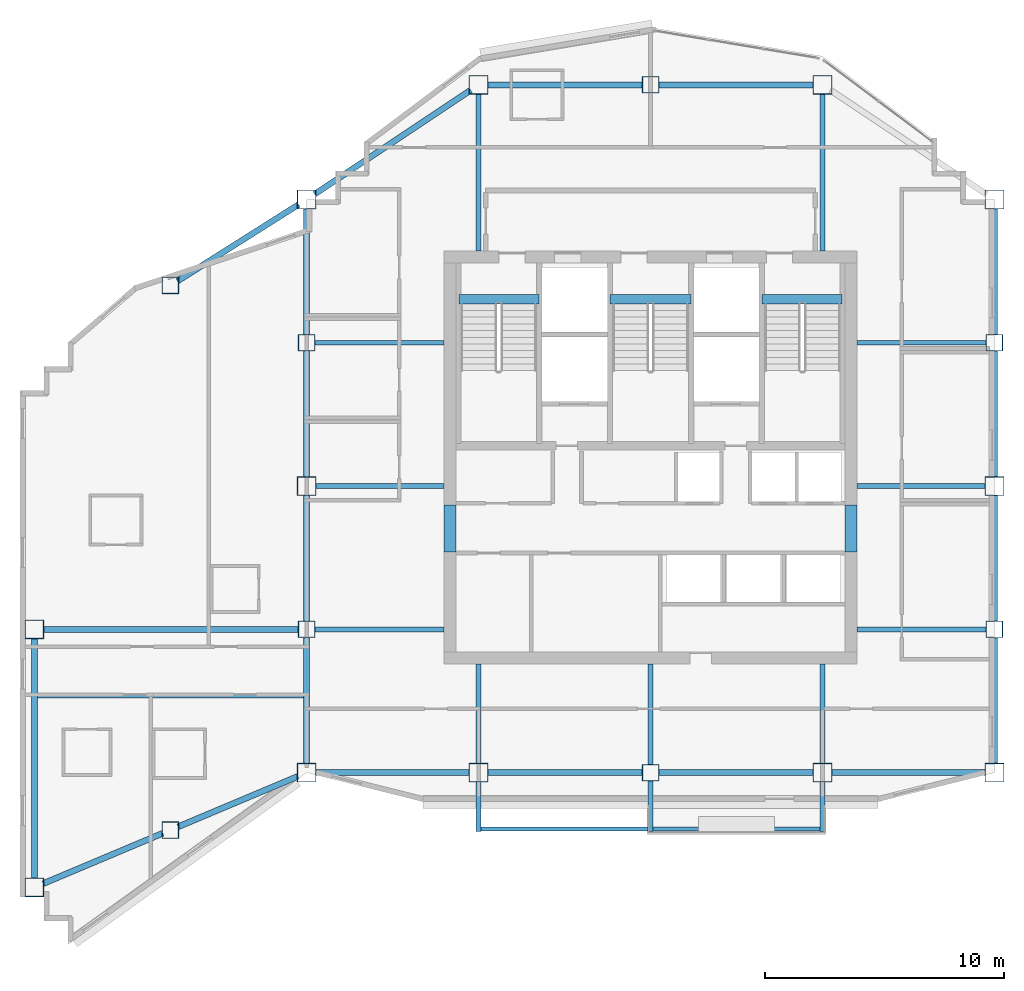
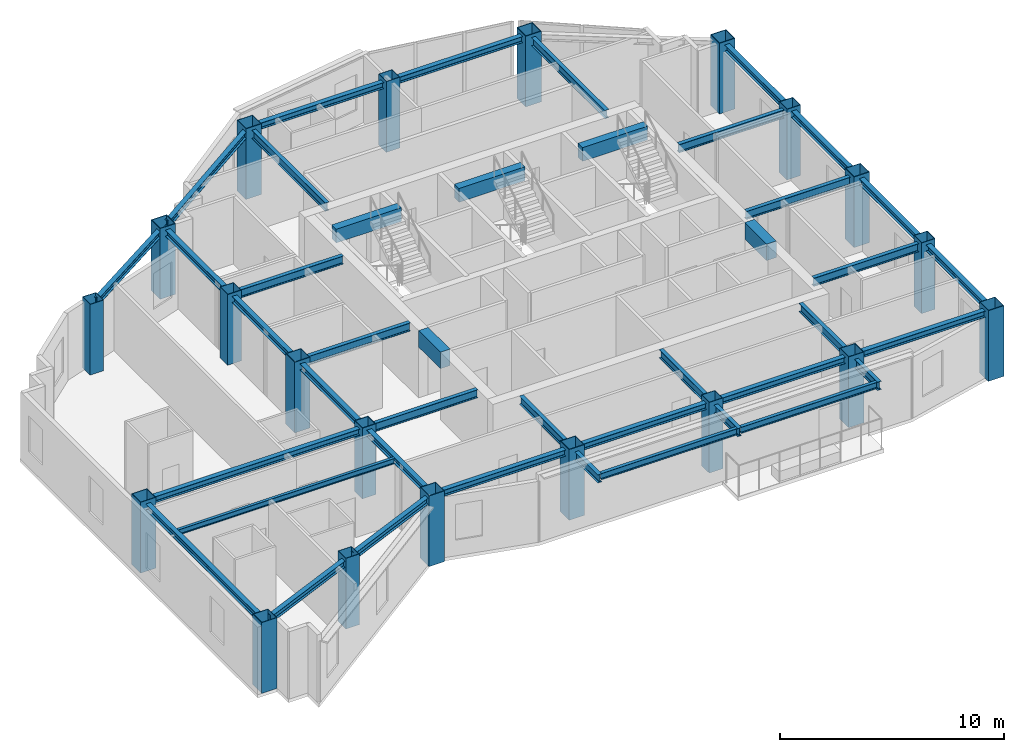
# One storey, part 1 of 10: 42 beams, 20 columns.
"""IFC4 building model written with IfcOpenShell, lengths in metres."""

from ifc_helpers import new_model, si_unit, direction, frame, origin, origin_2d, place, context, subcontext, project, spatial, rectangle, hollow_rectangle, i_section, extrude, material, material_profile, profile_set, type_object, element, save


model = new_model("IFC4")

# Units and contexts
model_context = context("Model", 3, precision=1e-05, world=origin(), true_north=direction((0.0, 1.0)))
body_context = subcontext(model_context, "Body", "Model", "MODEL_VIEW")
ifc_project = project(units=[si_unit("LENGTHUNIT", "METRE"), si_unit("AREAUNIT", "SQUARE_METRE"), si_unit("VOLUMEUNIT", "CUBIC_METRE"), si_unit("PLANEANGLEUNIT", "RADIAN"), si_unit("MASSUNIT", "GRAM", prefix="KILO")], contexts=[model_context])

# Site, building, storey
site_placement = place(None, origin())
site = spatial("IfcSite", under=ifc_project, at=site_placement, CompositionType="ELEMENT")
building_placement = place(site_placement, origin())
building = spatial("IfcBuilding", under=site, at=building_placement, Name="Haolan Belvedere Tower", CompositionType="ELEMENT")
storey_placement = place(building_placement, frame((0.0, 0.0, 246.75)))
storey = spatial("IfcBuildingStorey", under=building, at=storey_placement, Name="L62", CompositionType="ELEMENT", Elevation=246.75)

# Columns
ifc_material_1 = material(Name="Steel Q390GJC", Category="steel")
ifc_material_profile_1 = material_profile(ifc_material_1, hollow_rectangle(XDim=0.699951171875, YDim=0.699951171875, WallThickness=0.02587890625, at=origin_2d()), Name="Steel Q390GJC")
ifc_profile_set_1 = profile_set([ifc_material_profile_1], Name="Steel Q390GJC")
column_type_1 = type_object("IfcColumnType", Name="COL-BOX700x700x26", PredefinedType="COLUMN", material=ifc_profile_set_1)
for number, where, z_axis, x_axis, name in (
    (1, (24.0, 27.60009765625, 0.0), (0.0, 0.0, 1.0), (1.0, 0.0, 0.0), "L62 column TC-T3-W1 (BOX700x700x26)"),
    (2, (24.0, 39.60009765625, 0.0), (0.0, 0.0, 1.0), (1.0, 0.0, 0.0), "L62 column TC-T3-W2 (BOX700x700x26)"),
    (3, (52.800048828125, 27.60009765625, 0.0), (0.0, 0.0, 1.0), (1.0, 0.0, 0.0), "L62 column TC-T3-E1 (BOX700x700x26)"),
    (4, (52.800048828125, 39.60009765625, 0.0), (0.0, 0.0, 1.0), (1.0, 0.0, 0.0), "L62 column TC-T3-E2 (BOX700x700x26)"),
    (5, (38.39990234375, 21.60009765625, 0.0), (0.0, 0.0, 1.0), (1.0, 0.0, 0.0), "L62 column TC-T3-SM (BOX700x700x26)"),
    (6, (38.39990234375, 50.39990234375, 0.0), (0.0, 0.0, 1.0), (1.0, 0.0, 0.0), "L62 column TC-T3-NM (BOX700x700x26)"),
    (7, (18.300048828125, 19.199951171875, 0.0), (0.0, 0.0, 1.0), (1.0, 0.0, 0.0), "L62 column TC-T2-S1 (BOX700x700x26)"),
    (8, (18.300048828125, 42.0, 0.0), (0.0, 0.0, 1.0), (1.0, 0.0, 0.0), "L62 column TC-T2-N1 (BOX700x700x26)"),
):
    element("IfcColumn", number, at=place(storey_placement, frame(where, z_axis=z_axis, x_axis=x_axis)), inside=storey, type_object=column_type_1, Name=name, PredefinedType="COLUMN", context=body_context, shape_type="SweptSolid", body=[
        extrude(hollow_rectangle(XDim=0.699951171875, YDim=0.699951171875, WallThickness=0.02587890625, at=origin_2d()), origin(), (0.0, 0.0, 1.0), 3.85009765625),
    ])
ifc_material_profile_2 = material_profile(ifc_material_1, hollow_rectangle(XDim=0.800048828125, YDim=0.800048828125, WallThickness=0.030029296875, at=origin_2d()), Name="Steel Q390GJC")
ifc_profile_set_2 = profile_set([ifc_material_profile_2], Name="Steel Q390GJC")
column_type_2 = type_object("IfcColumnType", Name="COL-BOX800x800x30", PredefinedType="COLUMN", material=ifc_profile_set_2)
for number, where, z_axis, x_axis, name in (
    (9, (24.0, 21.60009765625, 0.0), (0.0, 0.0, 1.0), (1.0, 0.0, 0.0), "L62 column MC-T3-SW (BOX800x800x30)"),
    (10, (24.0, 33.60009765625, 0.0), (0.0, 0.0, 1.0), (1.0, 0.0, 0.0), "L62 column MC-T3-MW (BOX800x800x30)"),
    (11, (24.0, 45.60009765625, 0.0), (0.0, 0.0, 1.0), (1.0, 0.0, 0.0), "L62 column MC-T3-NW (BOX800x800x30)"),
    (12, (52.800048828125, 21.60009765625, 0.0), (0.0, 0.0, 1.0), (1.0, 0.0, 0.0), "L62 column MC-T3-SE (BOX800x800x30)"),
    (13, (52.800048828125, 33.60009765625, 0.0), (0.0, 0.0, 1.0), (1.0, 0.0, 0.0), "L62 column MC-T3-ME (BOX800x800x30)"),
    (14, (52.800048828125, 45.60009765625, 0.0), (0.0, 0.0, 1.0), (1.0, 0.0, 0.0), "L62 column MC-T3-NE (BOX800x800x30)"),
    (15, (31.199951171875, 21.60009765625, 0.0), (0.0, 0.0, 1.0), (1.0, 0.0, 0.0), "L62 column MC-T3-S1 (BOX800x800x30)"),
    (16, (45.60009765625, 21.60009765625, 0.0), (0.0, 0.0, 1.0), (1.0, 0.0, 0.0), "L62 column MC-T3-S2 (BOX800x800x30)"),
    (17, (31.199951171875, 50.39990234375, 0.0), (0.0, 0.0, 1.0), (1.0, 0.0, 0.0), "L62 column MC-T3-N1 (BOX800x800x30)"),
    (18, (45.60009765625, 50.39990234375, 0.0), (0.0, 0.0, 1.0), (1.0, 0.0, 0.0), "L62 column MC-T3-N2 (BOX800x800x30)"),
    (19, (12.60009765625, 16.800048828125, 0.0), (0.0, 0.0, 1.0), (1.0, 0.0, 0.0), "L62 column MC-T2-SW (BOX800x800x30)"),
    (20, (12.60009765625, 27.60009765625, 0.0), (0.0, 0.0, 1.0), (1.0, 0.0, 0.0), "L62 column MC-T2-MW (BOX800x800x30)"),
):
    element("IfcColumn", number, at=place(storey_placement, frame(where, z_axis=z_axis, x_axis=x_axis)), inside=storey, type_object=column_type_2, Name=name, PredefinedType="COLUMN", context=body_context, shape_type="SweptSolid", body=[
        extrude(hollow_rectangle(XDim=0.800048828125, YDim=0.800048828125, WallThickness=0.030029296875, at=origin_2d()), origin(), (0.0, 0.0, 1.0), 3.85009765625),
    ])

# Beams
ifc_material_2 = material(Name="Steel Q355B", Category="steel")
ifc_material_profile_3 = material_profile(ifc_material_2, i_section(OverallWidth=0.25, OverallDepth=0.340087890625, WebThickness=0.009033203125, FlangeThickness=0.013916015625, FilletRadius=0.02001953125, at=origin_2d()), Name="Steel Q355B")
ifc_profile_set_3 = profile_set([ifc_material_profile_3], Name="Steel Q355B")
beam_type_1 = type_object("IfcBeamType", Name="BM-HM340x250x9x14", PredefinedType="SPANDREL", material=ifc_profile_set_3)
for number, where, z_axis, x_axis, name in (
    (21, (24.0, 22.0, 3.5), (0.0, 1.0, 0.0), (-1.0, 0.0, 0.0), "L62 spandrel girder MC-T3-SW-TC-T3-W1"),
    (22, (24.0, 27.949951171875, 3.5), (0.0, 1.0, 0.0), (-1.0, 0.0, 0.0), "L62 spandrel girder TC-T3-W1-MC-T3-MW"),
    (23, (24.0, 34.0, 3.5), (0.0, 1.0, 0.0), (-1.0, 0.0, 0.0), "L62 spandrel girder MC-T3-MW-TC-T3-W2"),
    (24, (24.0, 39.949951171875, 3.5), (0.0, 1.0, 0.0), (-1.0, 0.0, 0.0), "L62 spandrel girder TC-T3-W2-MC-T3-NW"),
    (25, (52.800048828125, 22.0, 3.5), (0.0, 1.0, 0.0), (-1.0, 0.0, 0.0), "L62 spandrel girder MC-T3-SE-TC-T3-E1"),
    (26, (52.800048828125, 27.949951171875, 3.5), (0.0, 1.0, 0.0), (-1.0, 0.0, 0.0), "L62 spandrel girder TC-T3-E1-MC-T3-ME"),
    (27, (52.800048828125, 34.0, 3.5), (0.0, 1.0, 0.0), (-1.0, 0.0, 0.0), "L62 spandrel girder MC-T3-ME-TC-T3-E2"),
    (28, (52.800048828125, 39.949951171875, 3.5), (0.0, 1.0, 0.0), (-1.0, 0.0, 0.0), "L62 spandrel girder TC-T3-E2-MC-T3-NE"),
):
    element("IfcBeam", number, at=place(storey_placement, frame(where, z_axis=z_axis, x_axis=x_axis)), inside=storey, type_object=beam_type_1, Name=name, PredefinedType="SPANDREL", context=body_context, shape_type="SweptSolid", body=[
        extrude(i_section(OverallWidth=0.25, OverallDepth=0.340087890625, WebThickness=0.009033203125, FlangeThickness=0.013916015625, FilletRadius=0.02001953125, at=origin_2d()), origin(), (0.0, 0.0, 1.0), 5.25),
    ])
beam_1_placement = place(storey_placement, frame((24.39990234375, 21.60009765625, 3.5), z_axis=(1.0, 0.0, 0.0), x_axis=(0.0, 1.0, 0.0)))
element("IfcBeam", 29, at=beam_1_placement, inside=storey, type_object=beam_type_1, Name="L62 spandrel girder MC-T3-SW-MC-T3-S1", PredefinedType="SPANDREL", context=body_context, shape_type="SweptSolid", body=[
    extrude(i_section(OverallWidth=0.25, OverallDepth=0.340087890625, WebThickness=0.009033203125, FlangeThickness=0.013916015625, FilletRadius=0.02001953125, at=origin_2d()), origin(), (0.0, 0.0, 1.0), 6.400146484375),
])
for number, where, z_axis, x_axis, name in (
    (30, (31.60009765625, 21.60009765625, 3.5), (1.0, 0.0, 0.0), (0.0, 1.0, 0.0), "L62 spandrel girder MC-T3-S1-TC-T3-SM"),
    (31, (38.75, 21.60009765625, 3.5), (1.0, 0.0, 0.0), (0.0, 1.0, 0.0), "L62 spandrel girder TC-T3-SM-MC-T3-S2"),
):
    element("IfcBeam", number, at=place(storey_placement, frame(where, z_axis=z_axis, x_axis=x_axis)), inside=storey, type_object=beam_type_1, Name=name, PredefinedType="SPANDREL", context=body_context, shape_type="SweptSolid", body=[
        extrude(i_section(OverallWidth=0.25, OverallDepth=0.340087890625, WebThickness=0.009033203125, FlangeThickness=0.013916015625, FilletRadius=0.02001953125, at=origin_2d()), origin(), (0.0, 0.0, 1.0), 6.449951171875),
    ])
beam_2_placement = place(storey_placement, frame((46.0, 21.60009765625, 3.5), z_axis=(1.0, 0.0, 0.0), x_axis=(0.0, 1.0, 0.0)))
element("IfcBeam", 32, at=beam_2_placement, inside=storey, type_object=beam_type_1, Name="L62 spandrel girder MC-T3-S2-MC-T3-SE", PredefinedType="SPANDREL", context=body_context, shape_type="SweptSolid", body=[
    extrude(i_section(OverallWidth=0.25, OverallDepth=0.340087890625, WebThickness=0.009033203125, FlangeThickness=0.013916015625, FilletRadius=0.02001953125, at=origin_2d()), origin(), (0.0, 0.0, 1.0), 6.39990234375),
])
beam_3_placement = place(storey_placement, frame((24.332763671875, 45.82177734375, 3.5), z_axis=(0.832040729016, 0.55471454394, 0.0), x_axis=(-0.55471454394, 0.832040729016, 0.0)))
element("IfcBeam", 33, at=beam_3_placement, inside=storey, type_object=beam_type_1, Name="L62 spandrel girder MC-T3-NW-MC-T3-N1", PredefinedType="SPANDREL", context=body_context, shape_type="SweptSolid", body=[
    extrude(i_section(OverallWidth=0.25, OverallDepth=0.340087890625, WebThickness=0.009033203125, FlangeThickness=0.013916015625, FilletRadius=0.02001953125, at=origin_2d()), origin(), (0.0, 0.0, 1.0), 7.853515625),
])
for number, where, z_axis, x_axis, name in (
    (34, (31.60009765625, 50.39990234375, 3.5), (1.0, 0.0, 0.0), (0.0, 1.0, 0.0), "L62 spandrel girder MC-T3-N1-TC-T3-NM"),
    (35, (38.75, 50.39990234375, 3.5), (1.0, 0.0, 0.0), (0.0, 1.0, 0.0), "L62 spandrel girder TC-T3-NM-MC-T3-N2"),
):
    element("IfcBeam", number, at=place(storey_placement, frame(where, z_axis=z_axis, x_axis=x_axis)), inside=storey, type_object=beam_type_1, Name=name, PredefinedType="SPANDREL", context=body_context, shape_type="SweptSolid", body=[
        extrude(i_section(OverallWidth=0.25, OverallDepth=0.340087890625, WebThickness=0.009033203125, FlangeThickness=0.013916015625, FilletRadius=0.02001953125, at=origin_2d()), origin(), (0.0, 0.0, 1.0), 6.449951171875),
    ])
beam_4_placement = place(storey_placement, frame((12.60009765625, 17.199951171875, 3.5), z_axis=(0.0, 1.0, 0.0), x_axis=(-1.0, 0.0, 0.0)))
element("IfcBeam", 36, at=beam_4_placement, inside=storey, type_object=beam_type_1, Name="L62 spandrel girder MC-T2-SW-MC-T2-MW", PredefinedType="SPANDREL", context=body_context, shape_type="SweptSolid", body=[
    extrude(i_section(OverallWidth=0.25, OverallDepth=0.340087890625, WebThickness=0.009033203125, FlangeThickness=0.013916015625, FilletRadius=0.02001953125, at=origin_2d()), origin(), (0.0, 0.0, 1.0), 10.0),
])
for number, where, z_axis, x_axis, name in (
    (37, (12.96875, 16.955322265625, 3.5), (0.921640448717, 0.388044950088, 0.0), (-0.388044950088, 0.921640448717, 0.0), "L62 spandrel girder MC-T2-SW-TC-T2-S1"),
    (38, (18.62255859375, 19.3359375, 3.5), (0.921640448717, 0.388044950088, 0.0), (-0.388044950088, 0.921640448717, 0.0), "L62 spandrel girder TC-T2-S1-MC-T3-SW"),
):
    element("IfcBeam", number, at=place(storey_placement, frame(where, z_axis=z_axis, x_axis=x_axis)), inside=storey, type_object=beam_type_1, Name=name, PredefinedType="SPANDREL", context=body_context, shape_type="SweptSolid", body=[
        extrude(i_section(OverallWidth=0.25, OverallDepth=0.340087890625, WebThickness=0.009033203125, FlangeThickness=0.013916015625, FilletRadius=0.02001953125, at=origin_2d()), origin(), (0.0, 0.0, 1.0), 5.4345703125),
    ])
beam_5_placement = place(storey_placement, frame((18.595947265625, 42.18701171875, 3.5), z_axis=(0.845493744187, 0.533985326148, 0.0), x_axis=(-0.533985326148, 0.845493744187, 0.0)))
element("IfcBeam", 39, at=beam_5_placement, inside=storey, type_object=beam_type_1, Name="L62 spandrel girder TC-T2-N1-MC-T3-NW", PredefinedType="SPANDREL", context=body_context, shape_type="SweptSolid", body=[
    extrude(i_section(OverallWidth=0.25, OverallDepth=0.340087890625, WebThickness=0.009033203125, FlangeThickness=0.013916015625, FilletRadius=0.02001953125, at=origin_2d()), origin(), (0.0, 0.0, 1.0), 5.99169921875),
])
beam_6_placement = place(storey_placement, frame((13.0, 27.60009765625, 3.5), z_axis=(1.0, 0.0, 0.0), x_axis=(0.0, 1.0, 0.0)))
element("IfcBeam", 40, at=beam_6_placement, inside=storey, type_object=beam_type_1, Name="L62 spandrel girder MC-T2-MW-TC-T3-W1", PredefinedType="SPANDREL", context=body_context, shape_type="SweptSolid", body=[
    extrude(i_section(OverallWidth=0.25, OverallDepth=0.340087890625, WebThickness=0.009033203125, FlangeThickness=0.013916015625, FilletRadius=0.02001953125, at=origin_2d()), origin(), (0.0, 0.0, 1.0), 10.64990234375),
])
ifc_material_profile_4 = material_profile(ifc_material_2, i_section(OverallWidth=0.14990234375, OverallDepth=0.300048828125, WebThickness=0.006591796875, FlangeThickness=0.009033203125, FilletRadius=0.012939453125, at=origin_2d()), Name="Steel Q355B")
ifc_profile_set_4 = profile_set([ifc_material_profile_4], Name="Steel Q355B")
beam_type_2 = type_object("IfcBeamType", Name="BM-HN300x150x6.5x9", PredefinedType="JOIST", material=ifc_profile_set_4)
beam_7_placement = place(storey_placement, frame((12.72509765625, 24.800048828125, 3.52001953125), z_axis=(1.0, 0.0, 0.0), x_axis=(0.0, 1.0, 0.0)))
element("IfcBeam", 41, at=beam_7_placement, inside=storey, type_object=beam_type_2, Name="L62 west wing floor joist 1", PredefinedType="JOIST", context=body_context, shape_type="SweptSolid", body=[
    extrude(i_section(OverallWidth=0.14990234375, OverallDepth=0.300048828125, WebThickness=0.006591796875, FlangeThickness=0.009033203125, FilletRadius=0.012939453125, at=origin_2d()), origin(), (0.0, 0.0, 1.0), 11.14990234375),
])
ifc_material_profile_5 = material_profile(ifc_material_2, i_section(OverallWidth=0.175048828125, OverallDepth=0.35009765625, WebThickness=0.007080078125, FlangeThickness=0.010986328125, FilletRadius=0.012939453125, at=origin_2d()), Name="Steel Q355B")
ifc_profile_set_5 = profile_set([ifc_material_profile_5], Name="Steel Q355B")
beam_type_3 = type_object("IfcBeamType", Name="BM-HN350x175x7x11", PredefinedType="JOIST", material=ifc_profile_set_5)
for number, where, z_axis, x_axis, name in (
    (42, (31.300048828125, 19.239990234375, 3.445068359375), (1.0, 0.0, 0.0), (0.0, 1.0, 0.0), "L63 tree-balcony front trimmer beam 1"),
    (43, (38.5, 19.239990234375, 3.445068359375), (1.0, 0.0, 0.0), (0.0, 1.0, 0.0), "L63 tree-balcony front trimmer beam 2"),
):
    element("IfcBeam", number, at=place(storey_placement, frame(where, z_axis=z_axis, x_axis=x_axis)), inside=storey, type_object=beam_type_3, Name=name, PredefinedType="BEAM", context=body_context, shape_type="SweptSolid", body=[
        extrude(i_section(OverallWidth=0.175048828125, OverallDepth=0.35009765625, WebThickness=0.007080078125, FlangeThickness=0.010986328125, FilletRadius=0.012939453125, at=origin_2d()), origin(), (0.0, 0.0, 1.0), 7.0),
    ])
ifc_material_profile_6 = material_profile(ifc_material_2, i_section(OverallWidth=0.199951171875, OverallDepth=0.449951171875, WebThickness=0.009033203125, FlangeThickness=0.013916015625, FilletRadius=0.01611328125, at=origin_2d()), Name="Steel Q355B")
ifc_profile_set_6 = profile_set([ifc_material_profile_6], Name="Steel Q355B")
beam_type_4 = type_object("IfcBeamType", Name="BM-HN450x200x9x14", PredefinedType="BEAM", material=ifc_profile_set_6)
beam_8_placement = place(storey_placement, frame((24.39990234375, 33.60009765625, 3.445068359375), z_axis=(1.0, 0.0, 0.0), x_axis=(0.0, 1.0, 0.0)))
element("IfcBeam", 44, at=beam_8_placement, inside=storey, type_object=beam_type_4, Name="L62 core tie beam from MC-T3-MW", PredefinedType="BEAM", context=body_context, shape_type="SweptSolid", body=[
    extrude(i_section(OverallWidth=0.199951171875, OverallDepth=0.449951171875, WebThickness=0.009033203125, FlangeThickness=0.013916015625, FilletRadius=0.01611328125, at=origin_2d()), origin(), (0.0, 0.0, 1.0), 5.35009765625),
])
for number, where, z_axis, x_axis, name in (
    (45, (24.35009765625, 27.60009765625, 3.445068359375), (1.0, 0.0, 0.0), (0.0, 1.0, 0.0), "L62 core tie beam from TC-T3-W1"),
    (46, (24.35009765625, 39.60009765625, 3.445068359375), (1.0, 0.0, 0.0), (0.0, 1.0, 0.0), "L62 core tie beam from TC-T3-W2"),
):
    element("IfcBeam", number, at=place(storey_placement, frame(where, z_axis=z_axis, x_axis=x_axis)), inside=storey, type_object=beam_type_4, Name=name, PredefinedType="BEAM", context=body_context, shape_type="SweptSolid", body=[
        extrude(i_section(OverallWidth=0.199951171875, OverallDepth=0.449951171875, WebThickness=0.009033203125, FlangeThickness=0.013916015625, FilletRadius=0.01611328125, at=origin_2d()), origin(), (0.0, 0.0, 1.0), 5.39990234375),
    ])
beam_9_placement = place(storey_placement, frame((52.39990234375, 33.60009765625, 3.445068359375), z_axis=(-1.0, 0.0, 0.0), x_axis=(0.0, -1.0, 0.0)))
element("IfcBeam", 47, at=beam_9_placement, inside=storey, type_object=beam_type_4, Name="L62 core tie beam from MC-T3-ME", PredefinedType="BEAM", context=body_context, shape_type="SweptSolid", body=[
    extrude(i_section(OverallWidth=0.199951171875, OverallDepth=0.449951171875, WebThickness=0.009033203125, FlangeThickness=0.013916015625, FilletRadius=0.01611328125, at=origin_2d()), origin(), (0.0, 0.0, 1.0), 5.349853515625),
])
for number, where, z_axis, x_axis, name in (
    (48, (52.449951171875, 27.60009765625, 3.445068359375), (-1.0, 0.0, 0.0), (0.0, -1.0, 0.0), "L62 core tie beam from TC-T3-E1"),
    (49, (52.449951171875, 39.60009765625, 3.445068359375), (-1.0, 0.0, 0.0), (0.0, -1.0, 0.0), "L62 core tie beam from TC-T3-E2"),
):
    element("IfcBeam", number, at=place(storey_placement, frame(where, z_axis=z_axis, x_axis=x_axis)), inside=storey, type_object=beam_type_4, Name=name, PredefinedType="BEAM", context=body_context, shape_type="SweptSolid", body=[
        extrude(i_section(OverallWidth=0.199951171875, OverallDepth=0.449951171875, WebThickness=0.009033203125, FlangeThickness=0.013916015625, FilletRadius=0.01611328125, at=origin_2d()), origin(), (0.0, 0.0, 1.0), 5.39990234375),
    ])
beam_10_placement = place(storey_placement, frame((31.199951171875, 22.0, 3.445068359375), z_axis=(0.0, 1.0, 0.0), x_axis=(-1.0, 0.0, 0.0)))
element("IfcBeam", 50, at=beam_10_placement, inside=storey, type_object=beam_type_4, Name="L62 core tie beam from MC-T3-S1", PredefinedType="BEAM", context=body_context, shape_type="SweptSolid", body=[
    extrude(i_section(OverallWidth=0.199951171875, OverallDepth=0.449951171875, WebThickness=0.009033203125, FlangeThickness=0.013916015625, FilletRadius=0.01611328125, at=origin_2d()), origin(), (0.0, 0.0, 1.0), 4.14990234375),
])
beam_11_placement = place(storey_placement, frame((38.39990234375, 21.949951171875, 3.445068359375), z_axis=(0.0, 1.0, 0.0), x_axis=(-1.0, 0.0, 0.0)))
element("IfcBeam", 51, at=beam_11_placement, inside=storey, type_object=beam_type_4, Name="L62 core tie beam from TC-T3-SM", PredefinedType="BEAM", context=body_context, shape_type="SweptSolid", body=[
    extrude(i_section(OverallWidth=0.199951171875, OverallDepth=0.449951171875, WebThickness=0.009033203125, FlangeThickness=0.013916015625, FilletRadius=0.01611328125, at=origin_2d()), origin(), (0.0, 0.0, 1.0), 4.199951171875),
])
beam_12_placement = place(storey_placement, frame((45.60009765625, 22.0, 3.445068359375), z_axis=(0.0, 1.0, 0.0), x_axis=(-1.0, 0.0, 0.0)))
element("IfcBeam", 52, at=beam_12_placement, inside=storey, type_object=beam_type_4, Name="L62 core tie beam from MC-T3-S2", PredefinedType="BEAM", context=body_context, shape_type="SweptSolid", body=[
    extrude(i_section(OverallWidth=0.199951171875, OverallDepth=0.449951171875, WebThickness=0.009033203125, FlangeThickness=0.013916015625, FilletRadius=0.01611328125, at=origin_2d()), origin(), (0.0, 0.0, 1.0), 4.14990234375),
])
for number, where, z_axis, x_axis, name in (
    (53, (31.199951171875, 50.0, 3.445068359375), (0.0, -1.0, 0.0), (1.0, 0.0, 0.0), "L62 core tie beam from MC-T3-N1"),
    (54, (45.60009765625, 50.0, 3.445068359375), (0.0, -1.0, 0.0), (1.0, 0.0, 0.0), "L62 core tie beam from MC-T3-N2"),
):
    element("IfcBeam", number, at=place(storey_placement, frame(where, z_axis=z_axis, x_axis=x_axis)), inside=storey, type_object=beam_type_4, Name=name, PredefinedType="BEAM", context=body_context, shape_type="SweptSolid", body=[
        extrude(i_section(OverallWidth=0.199951171875, OverallDepth=0.449951171875, WebThickness=0.009033203125, FlangeThickness=0.013916015625, FilletRadius=0.01611328125, at=origin_2d()), origin(), (0.0, 0.0, 1.0), 6.550048828125),
    ])
beam_13_placement = place(storey_placement, frame((31.199951171875, 21.199951171875, 3.39501953125), z_axis=(0.0, -1.0, 0.0), x_axis=(1.0, 0.0, 0.0)))
element("IfcBeam", 55, at=beam_13_placement, inside=storey, type_object=beam_type_4, Name="L63 tree-balcony column cantilever MC-T3-S1", PredefinedType="BEAM", context=body_context, shape_type="SweptSolid", body=[
    extrude(i_section(OverallWidth=0.199951171875, OverallDepth=0.449951171875, WebThickness=0.009033203125, FlangeThickness=0.013916015625, FilletRadius=0.01611328125, at=origin_2d()), origin(), (0.0, 0.0, 1.0), 2.06005859375),
])
beam_14_placement = place(storey_placement, frame((38.39990234375, 21.25, 3.39501953125), z_axis=(0.0, -1.0, 0.0), x_axis=(1.0, 0.0, 0.0)))
element("IfcBeam", 56, at=beam_14_placement, inside=storey, type_object=beam_type_4, Name="L63 tree-balcony column cantilever TC-T3-SM", PredefinedType="BEAM", context=body_context, shape_type="SweptSolid", body=[
    extrude(i_section(OverallWidth=0.199951171875, OverallDepth=0.449951171875, WebThickness=0.009033203125, FlangeThickness=0.013916015625, FilletRadius=0.01611328125, at=origin_2d()), origin(), (0.0, 0.0, 1.0), 2.110107421875),
])
beam_15_placement = place(storey_placement, frame((45.60009765625, 21.199951171875, 3.39501953125), z_axis=(0.0, -1.0, 0.0), x_axis=(1.0, 0.0, 0.0)))
element("IfcBeam", 57, at=beam_15_placement, inside=storey, type_object=beam_type_4, Name="L63 tree-balcony column cantilever MC-T3-S2", PredefinedType="BEAM", context=body_context, shape_type="SweptSolid", body=[
    extrude(i_section(OverallWidth=0.199951171875, OverallDepth=0.449951171875, WebThickness=0.009033203125, FlangeThickness=0.013916015625, FilletRadius=0.01611328125, at=origin_2d()), origin(), (0.0, 0.0, 1.0), 2.06005859375),
])
ifc_material_3 = material(Name="Concrete C50/60", Category="concrete")
ifc_material_profile_7 = material_profile(ifc_material_3, rectangle(XDim=0.39990234375, YDim=0.75, at=origin_2d()), Name="Concrete C50/60")
ifc_profile_set_7 = profile_set([ifc_material_profile_7], Name="Concrete C50/60")
beam_type_5 = type_object("IfcBeamType", Name="BM-RC400x750", PredefinedType="T_BEAM", material=ifc_profile_set_7)
beam_16_placement = place(storey_placement, frame((30.3798828125, 41.429931640625, 3.47509765625), z_axis=(1.0, 0.0, 0.0), x_axis=(0.0, 1.0, 0.0)))
element("IfcBeam", 58, at=beam_16_placement, inside=storey, type_object=beam_type_5, Name="L63 stair ST1 RC header trimmer beam", PredefinedType="BEAM", context=body_context, shape_type="SweptSolid", body=[
    extrude(rectangle(XDim=0.39990234375, YDim=0.75, at=origin_2d()), origin(), (0.0, 0.0, 1.0), 3.360107421875),
])
beam_17_placement = place(storey_placement, frame((36.699951171875, 41.429931640625, 3.47509765625), z_axis=(1.0, 0.0, 0.0), x_axis=(0.0, 1.0, 0.0)))
element("IfcBeam", 59, at=beam_17_placement, inside=storey, type_object=beam_type_5, Name="L63 stair ST3 RC header trimmer beam", PredefinedType="BEAM", context=body_context, shape_type="SweptSolid", body=[
    extrude(rectangle(XDim=0.39990234375, YDim=0.75, at=origin_2d()), origin(), (0.0, 0.0, 1.0), 3.400146484375),
])
beam_18_placement = place(storey_placement, frame((43.06005859375, 41.429931640625, 3.47509765625), z_axis=(1.0, 0.0, 0.0), x_axis=(0.0, 1.0, 0.0)))
element("IfcBeam", 60, at=beam_18_placement, inside=storey, type_object=beam_type_5, Name="L63 stair ST2 RC header trimmer beam", PredefinedType="BEAM", context=body_context, shape_type="SweptSolid", body=[
    extrude(rectangle(XDim=0.39990234375, YDim=0.75, at=origin_2d()), origin(), (0.0, 0.0, 1.0), 3.35986328125),
])
ifc_material_4 = material(Name="Concrete C60/75", Category="concrete")
ifc_material_profile_8 = material_profile(ifc_material_4, rectangle(XDim=0.5, YDim=0.89990234375, at=origin_2d()), Name="Concrete C60/75")
ifc_profile_set_8 = profile_set([ifc_material_profile_8], Name="Concrete C60/75")
beam_type_6 = type_object("IfcBeamType", Name="BM-RC500x900", PredefinedType="LINTEL", material=ifc_profile_set_8)
for number, where, z_axis, x_axis, name in (
    (61, (30.0, 30.85009765625, 3.219970703125), (0.0, 1.0, 0.0), (-1.0, 0.0, 0.0), "L62 west core coupling beam CB-01"),
    (62, (46.800048828125, 30.85009765625, 3.219970703125), (0.0, 1.0, 0.0), (-1.0, 0.0, 0.0), "L62 east core coupling beam CB-01"),
):
    element("IfcBeam", number, at=place(storey_placement, frame(where, z_axis=z_axis, x_axis=x_axis)), inside=storey, type_object=beam_type_6, Name=name, PredefinedType="LINTEL", context=body_context, shape_type="SweptSolid", body=[
        extrude(rectangle(XDim=0.5, YDim=0.89990234375, at=origin_2d()), origin(), (0.0, 0.0, 1.0), 1.949951171875),
    ])

save(model, "model.ifc")
